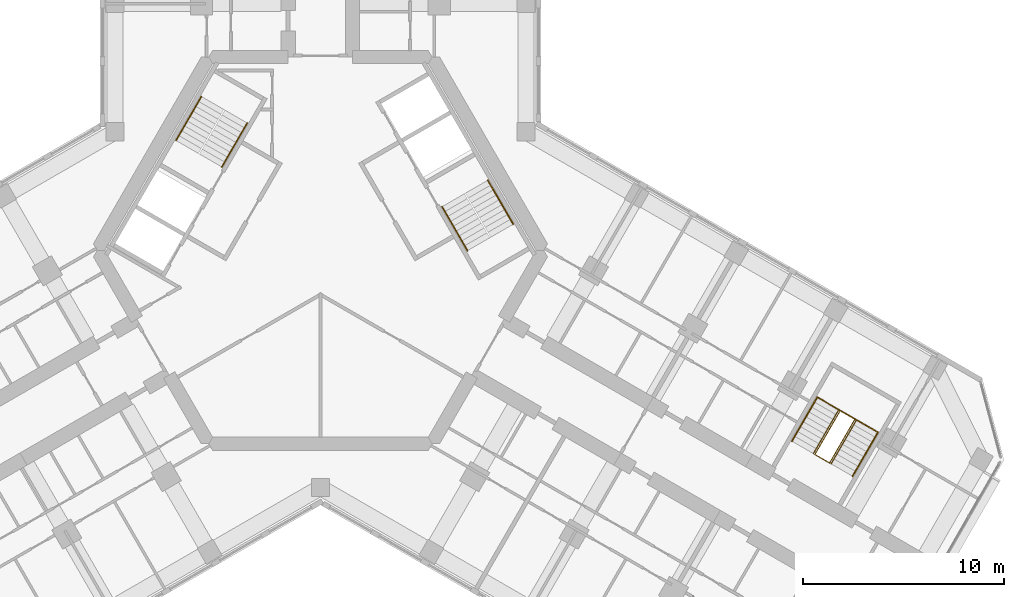
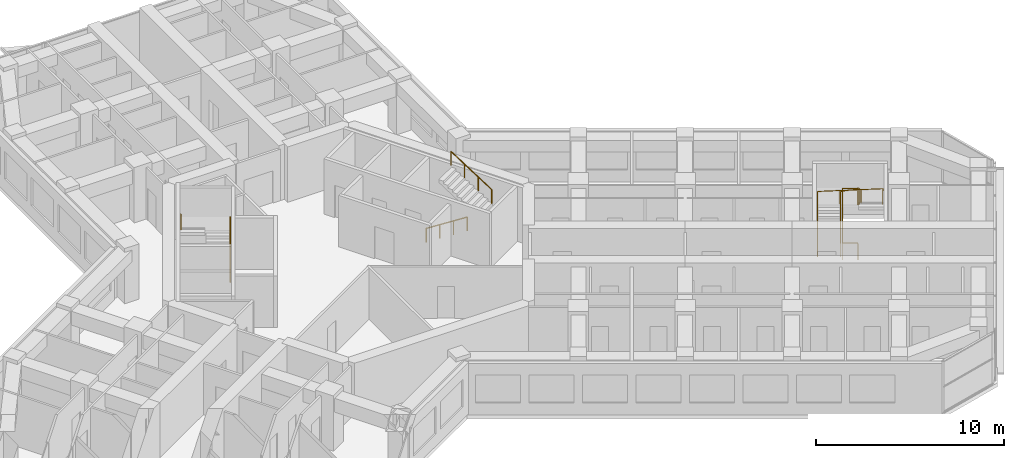
# One storey, part 16 of 16: 7 railings.
"""IFC4 building model written with IfcOpenShell, lengths in metres."""

from ifc_helpers import new_model, si_unit, direction, frame, origin, origin_2d, place, context, subcontext, project, spatial, circle, extrude, material, type_object, element, save


model = new_model("IFC4")

# Units and contexts
model_context = context("Model", 3, precision=1e-05, world=origin(), true_north=direction((0.0, 1.0)))
body_context = subcontext(model_context, "Body", "Model", "MODEL_VIEW")
ifc_project = project(units=[si_unit("LENGTHUNIT", "METRE"), si_unit("AREAUNIT", "SQUARE_METRE"), si_unit("VOLUMEUNIT", "CUBIC_METRE"), si_unit("PLANEANGLEUNIT", "RADIAN"), si_unit("MASSUNIT", "GRAM", prefix="KILO")], contexts=[model_context])

# Site, building, storey
site_placement = place(None, origin())
site = spatial("IfcSite", under=ifc_project, at=site_placement, CompositionType="ELEMENT")
building_placement = place(site_placement, origin())
building = spatial("IfcBuilding", under=site, at=building_placement, Name="Kosmar Iwan School Tower", CompositionType="ELEMENT")
storey_placement = place(building_placement, frame((0.0, 0.0, 215.39990234375)))
storey = spatial("IfcBuildingStorey", under=building, at=storey_placement, Name="L54", CompositionType="ELEMENT", Elevation=215.39990234375)

# Railings
ifc_material_1 = material(Name="Black steel", Category="steel")
railing_type_1 = type_object("IfcRailingType", Name="Stair handrail 900", PredefinedType="HANDRAIL", material=ifc_material_1)
railing_1_placement = place(storey_placement, frame((-4.89453125, 4.142333984375, 0.18017578125)))
element("IfcRailing", 1, at=railing_1_placement, inside=storey, type_object=railing_type_1, Name="Handrail ST2 flight 1", PredefinedType="HANDRAIL", context=body_context, shape_type="SweptSolid", body=[
    extrude(circle(Radius=0.02392578125, at=origin_2d()), frame((0.0, 0.0, 0.8759765625), z_axis=(0.42060268101, 0.72849590497, 0.54072830624), x_axis=(-0.866022637375, 0.500004791531, 0.0)), (0.0, 0.0, 1.0), 2.99560546875),
    extrude(circle(Radius=0.02099609375, at=origin_2d()), origin(), (0.0, 0.0, 1.0), 0.851806640625),
    extrude(circle(Radius=0.02099609375, at=origin_2d()), frame((0.419921875, 0.7275390625, 0.5400390625)), (0.0, 0.0, 1.0), 0.851806640625),
    extrude(circle(Radius=0.02099609375, at=origin_2d()), frame((0.840087890625, 1.454833984375, 1.079833984375)), (0.0, 0.0, 1.0), 0.851806640625),
    extrude(circle(Radius=0.02099609375, at=origin_2d()), frame((1.260009765625, 2.182373046875, 1.619873046875)), (0.0, 0.0, 1.0), 0.851806640625),
])
railing_2_placement = place(storey_placement, frame((-5.912353515625, 7.6396484375, 1.97998046875)))
element("IfcRailing", 2, at=railing_2_placement, inside=storey, type_object=railing_type_1, Name="Handrail ST2 flight 2", PredefinedType="HANDRAIL", context=body_context, shape_type="SweptSolid", body=[
    extrude(circle(Radius=0.02392578125, at=origin_2d()), frame((0.0, 0.0, 0.8759765625), z_axis=(-0.420584145978, -0.728463801763, 0.540785970299), x_axis=(0.866022637375, -0.500004791531, 0.0)), (0.0, 0.0, 1.0), 2.995849609375),
    extrude(circle(Radius=0.02099609375, at=origin_2d()), origin(), (0.0, 0.0, 1.0), 0.851806640625),
    extrude(circle(Radius=0.02099609375, at=origin_2d()), frame((-0.419921875, -0.7275390625, 0.5400390625)), (0.0, 0.0, 1.0), 0.851806640625),
    extrude(circle(Radius=0.02099609375, at=origin_2d()), frame((-0.840087890625, -1.454833984375, 1.080078125)), (0.0, 0.0, 1.0), 0.851806640625),
    extrude(circle(Radius=0.02099609375, at=origin_2d()), frame((-1.260009765625, -2.182373046875, 1.6201171875)), (0.0, 0.0, 1.0), 0.851806640625),
])
railing_3_placement = place(storey_placement, frame((6.03466796875, 2.167724609375, 0.18017578125)))
element("IfcRailing", 3, at=railing_3_placement, inside=storey, type_object=railing_type_1, Name="Handrail ST1 flight 1", PredefinedType="HANDRAIL", context=body_context, shape_type="SweptSolid", body=[
    extrude(circle(Radius=0.02392578125, at=origin_2d()), frame((0.0, 0.0, 0.8759765625), z_axis=(0.42060268101, -0.72849590497, 0.54072830624), x_axis=(0.866022637375, 0.500004791531, 0.0)), (0.0, 0.0, 1.0), 2.99560546875),
    extrude(circle(Radius=0.02099609375, at=origin_2d()), origin(), (0.0, 0.0, 1.0), 0.851806640625),
    extrude(circle(Radius=0.02099609375, at=origin_2d()), frame((0.419921875, -0.7275390625, 0.5400390625)), (0.0, 0.0, 1.0), 0.851806640625),
    extrude(circle(Radius=0.02099609375, at=origin_2d()), frame((0.840087890625, -1.454833984375, 1.079833984375)), (0.0, 0.0, 1.0), 0.851806640625),
    extrude(circle(Radius=0.02099609375, at=origin_2d()), frame((1.260009765625, -2.182373046875, 1.619873046875)), (0.0, 0.0, 1.0), 0.851806640625),
])
railing_4_placement = place(storey_placement, frame((9.572265625, 1.30029296875, 1.97998046875)))
element("IfcRailing", 4, at=railing_4_placement, inside=storey, type_object=railing_type_1, Name="Handrail ST1 flight 2", PredefinedType="HANDRAIL", context=body_context, shape_type="SweptSolid", body=[
    extrude(circle(Radius=0.02392578125, at=origin_2d()), frame((0.0, 0.0, 0.8759765625), z_axis=(-0.420584145978, 0.728463801763, 0.540785970299), x_axis=(-0.866022637375, -0.500004791531, 0.0)), (0.0, 0.0, 1.0), 2.995849609375),
    extrude(circle(Radius=0.02099609375, at=origin_2d()), origin(), (0.0, 0.0, 1.0), 0.851806640625),
    extrude(circle(Radius=0.02099609375, at=origin_2d()), frame((-0.419921875, 0.7275390625, 0.5400390625)), (0.0, 0.0, 1.0), 0.851806640625),
    extrude(circle(Radius=0.02099609375, at=origin_2d()), frame((-0.840087890625, 1.454833984375, 1.080078125)), (0.0, 0.0, 1.0), 0.851806640625),
    extrude(circle(Radius=0.02099609375, at=origin_2d()), frame((-1.260009765625, 2.182373046875, 1.6201171875)), (0.0, 0.0, 1.0), 0.851806640625),
])
railing_5_placement = place(storey_placement, frame((23.4091796875, -9.473876953125, 0.18017578125)))
element("IfcRailing", 5, at=railing_5_placement, inside=storey, type_object=railing_type_1, Name="Handrail stair WS3 L54 wall side", PredefinedType="HANDRAIL", context=body_context, shape_type="SweptSolid", body=[
    extrude(circle(Radius=0.02392578125, at=origin_2d()), frame((0.0, 0.0, 0.8759765625), z_axis=(0.42060268101, 0.72849590497, 0.54072830624), x_axis=(-0.866022637375, 0.500004791531, 0.0)), (0.0, 0.0, 1.0), 2.99560546875),
    extrude(circle(Radius=0.02392578125, at=origin_2d()), frame((1.260009765625, 2.182373046875, 2.49560546875), z_axis=(0.864882007433, -0.499312601618, 0.051633701051), x_axis=(0.499979528911, 0.866037222451, 0.0)), (0.0, 0.0, 1.0), 3.48486328125),
    extrude(circle(Radius=0.02392578125, at=origin_2d()), frame((4.27392578125, 0.4423828125, 2.67578125), z_axis=(-0.420584145978, -0.728463801763, 0.540785970299), x_axis=(0.866022637375, -0.500004791531, 0.0)), (0.0, 0.0, 1.0), 2.995849609375),
    extrude(circle(Radius=0.02099609375, at=origin_2d()), origin(), (0.0, 0.0, 1.0), 0.851806640625),
    extrude(circle(Radius=0.02099609375, at=origin_2d()), frame((0.419921875, 0.7275390625, 0.5400390625)), (0.0, 0.0, 1.0), 0.851806640625),
    extrude(circle(Radius=0.02099609375, at=origin_2d()), frame((0.840087890625, 1.454833984375, 1.079833984375)), (0.0, 0.0, 1.0), 0.851806640625),
    extrude(circle(Radius=0.02099609375, at=origin_2d()), frame((1.260009765625, 2.182373046875, 1.619873046875)), (0.0, 0.0, 1.0), 0.851806640625),
    extrude(circle(Radius=0.02099609375, at=origin_2d()), frame((2.2646484375, 1.602294921875, 1.679931640625)), (0.0, 0.0, 1.0), 0.851806640625),
    extrude(circle(Radius=0.02099609375, at=origin_2d()), frame((3.269287109375, 1.0224609375, 1.73974609375)), (0.0, 0.0, 1.0), 0.851806640625),
    extrude(circle(Radius=0.02099609375, at=origin_2d()), frame((4.27392578125, 0.4423828125, 1.7998046875)), (0.0, 0.0, 1.0), 0.851806640625),
    extrude(circle(Radius=0.02099609375, at=origin_2d()), frame((3.85400390625, -0.28515625, 2.33984375)), (0.0, 0.0, 1.0), 0.851806640625),
    extrude(circle(Radius=0.02099609375, at=origin_2d()), frame((3.433837890625, -1.012451171875, 2.8798828125)), (0.0, 0.0, 1.0), 0.851806640625),
    extrude(circle(Radius=0.02099609375, at=origin_2d()), frame((3.013916015625, -1.739990234375, 3.419921875)), (0.0, 0.0, 1.0), 0.851806640625),
])
railing_6_placement = place(storey_placement, frame((24.474609375, -10.0888671875, 0.18017578125)))
element("IfcRailing", 6, at=railing_6_placement, inside=storey, type_object=railing_type_1, Name="Handrail stair WS3 L54 well side", PredefinedType="HANDRAIL", context=body_context, shape_type="SweptSolid", body=[
    extrude(circle(Radius=0.02392578125, at=origin_2d()), frame((0.0, 0.0, 0.8759765625), z_axis=(0.42060268101, 0.72849590497, 0.54072830624), x_axis=(-0.866022637375, 0.500004791531, 0.0)), (0.0, 0.0, 1.0), 2.99560546875),
    extrude(circle(Radius=0.02392578125, at=origin_2d()), frame((1.260009765625, 2.182373046875, 2.49560546875), z_axis=(0.852841519511, -0.492422867401, 0.173726976197), x_axis=(0.500026340207, 0.866010195725, 0.0)), (0.0, 0.0, 1.0), 1.03564453125),
    extrude(circle(Radius=0.02392578125, at=origin_2d()), frame((2.143310546875, 1.67236328125, 2.67578125), z_axis=(-0.420584145978, -0.728463801763, 0.540785970299), x_axis=(0.866022637375, -0.500004791531, 0.0)), (0.0, 0.0, 1.0), 2.995849609375),
    extrude(circle(Radius=0.02099609375, at=origin_2d()), origin(), (0.0, 0.0, 1.0), 0.851806640625),
    extrude(circle(Radius=0.02099609375, at=origin_2d()), frame((0.419921875, 0.7275390625, 0.5400390625)), (0.0, 0.0, 1.0), 0.851806640625),
    extrude(circle(Radius=0.02099609375, at=origin_2d()), frame((0.840087890625, 1.454833984375, 1.079833984375)), (0.0, 0.0, 1.0), 0.851806640625),
    extrude(circle(Radius=0.02099609375, at=origin_2d()), frame((1.260009765625, 2.182373046875, 1.619873046875)), (0.0, 0.0, 1.0), 0.851806640625),
    extrude(circle(Radius=0.02099609375, at=origin_2d()), frame((2.143310546875, 1.67236328125, 1.7998046875)), (0.0, 0.0, 1.0), 0.851806640625),
    extrude(circle(Radius=0.02099609375, at=origin_2d()), frame((1.723388671875, 0.94482421875, 2.33984375)), (0.0, 0.0, 1.0), 0.851806640625),
    extrude(circle(Radius=0.02099609375, at=origin_2d()), frame((1.30322265625, 0.217529296875, 2.8798828125)), (0.0, 0.0, 1.0), 0.851806640625),
    extrude(circle(Radius=0.02099609375, at=origin_2d()), frame((0.88330078125, -0.510009765625, 3.419921875)), (0.0, 0.0, 1.0), 0.851806640625),
])
ifc_material_2 = material(Name="Black steel", Category="steel")
railing_type_2 = type_object("IfcRailingType", Name="Stair well guard 1100", PredefinedType="GUARDRAIL", material=ifc_material_2)
railing_7_placement = place(storey_placement, frame((25.280029296875, -10.553955078125, 0.0)))
element("IfcRailing", 7, at=railing_7_placement, inside=storey, type_object=railing_type_2, Name="Stair WS3 L54 well guard", PredefinedType="GUARDRAIL", context=body_context, shape_type="SweptSolid", body=[
    extrude(circle(Radius=0.02392578125, at=origin_2d()), frame((0.0, 0.0, 1.076171875), z_axis=(-0.865962960534, 0.500108139288, 0.0), x_axis=(-0.500108139288, -0.865962960534, 0.0)), (0.0, 0.0, 1.0), 0.840087890625),
    extrude(circle(Radius=0.02392578125, at=origin_2d()), frame((-0.7275390625, 0.420166015625, 1.076171875), z_axis=(0.40686665399, 0.704704712268, 0.58124933925), x_axis=(-0.866022637375, 0.500004791531, 0.0)), (0.0, 0.0, 1.0), 3.096923828125),
    extrude(circle(Radius=0.02392578125, at=origin_2d()), frame((0.532470703125, 2.6025390625, 2.8759765625), z_axis=(0.865890253765, -0.500234013672, 0.0), x_axis=(0.500234013672, 0.865890253765, 0.0)), (0.0, 0.0, 1.0), 0.83984375),
    extrude(circle(Radius=0.02392578125, at=origin_2d()), frame((1.259765625, 2.182373046875, 2.8759765625), z_axis=(-0.406800866334, -0.70472731476, 0.58126798207), x_axis=(0.866064587494, -0.499932125682, 0.0)), (0.0, 0.0, 1.0), 3.0966796875),
    extrude(circle(Radius=0.02099609375, at=origin_2d()), origin(), (0.0, 0.0, 1.0), 1.052001953125),
    extrude(circle(Radius=0.02099609375, at=origin_2d()), frame((-0.7275390625, 0.420166015625, 0.0)), (0.0, 0.0, 1.0), 1.052001953125),
    extrude(circle(Radius=0.02099609375, at=origin_2d()), frame((-0.3076171875, 1.147705078125, 0.60009765625)), (0.0, 0.0, 1.0), 1.052001953125),
    extrude(circle(Radius=0.02099609375, at=origin_2d()), frame((0.112548828125, 1.875, 1.199951171875)), (0.0, 0.0, 1.0), 1.052001953125),
    extrude(circle(Radius=0.02099609375, at=origin_2d()), frame((0.532470703125, 2.6025390625, 1.800048828125)), (0.0, 0.0, 1.0), 1.052001953125),
    extrude(circle(Radius=0.02099609375, at=origin_2d()), frame((1.259765625, 2.182373046875, 1.800048828125)), (0.0, 0.0, 1.0), 1.052001953125),
    extrude(circle(Radius=0.02099609375, at=origin_2d()), frame((0.83984375, 1.454833984375, 2.400146484375)), (0.0, 0.0, 1.0), 1.052001953125),
    extrude(circle(Radius=0.02099609375, at=origin_2d()), frame((0.419921875, 0.7275390625, 3.0)), (0.0, 0.0, 1.0), 1.052001953125),
    extrude(circle(Radius=0.02099609375, at=origin_2d()), frame((0.0, 0.0, 3.60009765625)), (0.0, 0.0, 1.0), 1.052001953125),
])

save(model, "model.ifc")
